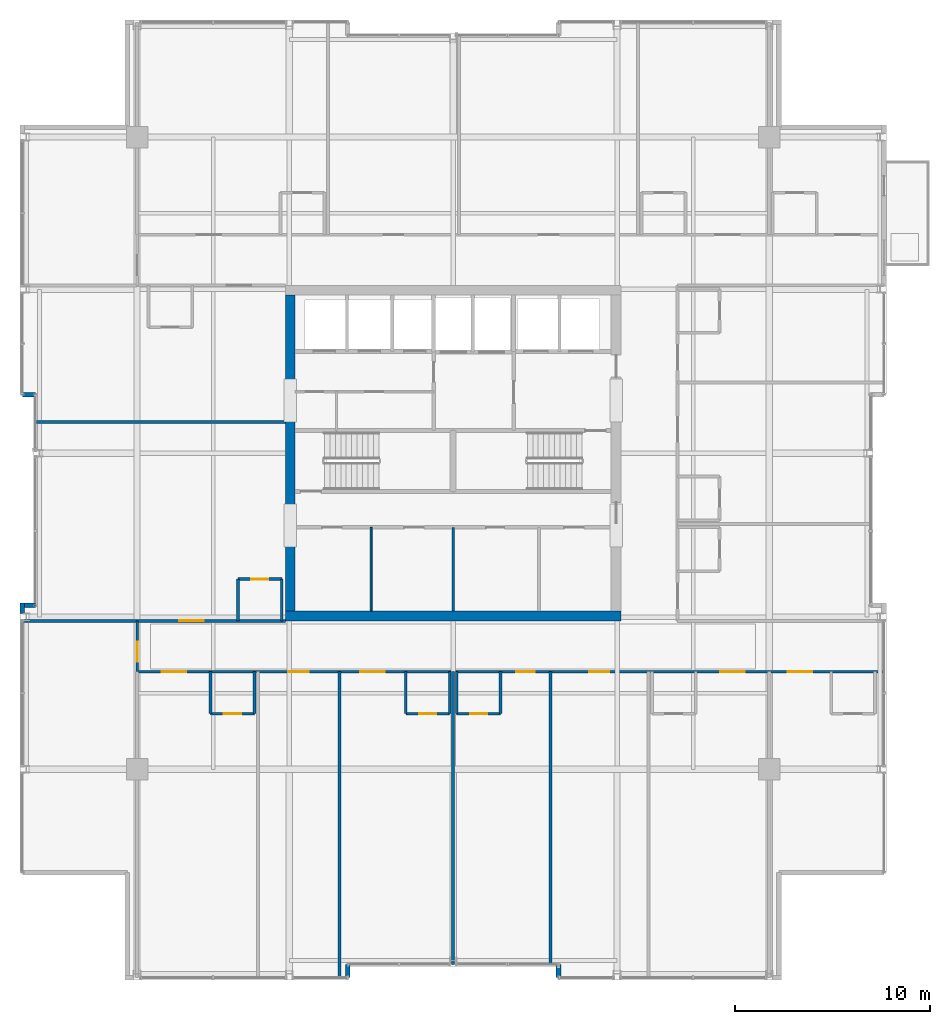
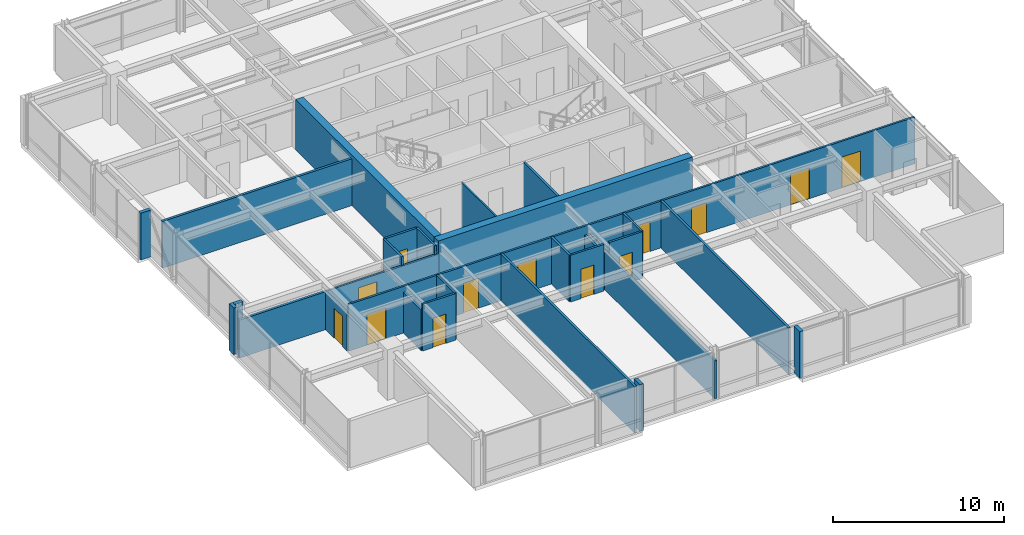
# One storey, part 27 of 33: 29 walls, 13 doors, 13 openings.
"""IFC4 building model written with IfcOpenShell, lengths in metres."""

from ifc_helpers import new_model, si_unit, direction, frame, frame_2d, origin, place, context, subcontext, project, spatial, rectangle, extrude, material, layer, layer_set, type_object, element, fill, save


model = new_model("IFC4")

# Units and contexts
model_context = context("Model", 3, precision=1e-05, world=origin(), true_north=direction((0.0, 1.0)))
body_context = subcontext(model_context, "Body", "Model", "MODEL_VIEW")
ifc_project = project(units=[si_unit("LENGTHUNIT", "METRE"), si_unit("AREAUNIT", "SQUARE_METRE"), si_unit("VOLUMEUNIT", "CUBIC_METRE"), si_unit("PLANEANGLEUNIT", "RADIAN"), si_unit("MASSUNIT", "GRAM", prefix="KILO")], contexts=[model_context])

# Site, building, storey
site_placement = place(None, origin())
site = spatial("IfcSite", under=ifc_project, at=site_placement, CompositionType="ELEMENT")
building_placement = place(site_placement, origin())
building = spatial("IfcBuilding", under=site, at=building_placement, Name="Drelvath Grand Hotel", CompositionType="ELEMENT")
storey_placement = place(building_placement, frame((0.0, 0.0, 248.300048828125)))
storey = spatial("IfcBuildingStorey", under=building, at=storey_placement, Name="L65", CompositionType="ELEMENT", Elevation=248.300048828125)

# Wall
ifc_material_1 = material(Name="Gypsum Partition Board")
ifc_layer_1 = layer(ifc_material_1, 0.10009765625)
ifc_layer_set_1 = layer_set([ifc_layer_1], Name="Gypsum Partition Board")
wall_type_1 = type_object("IfcWallType", Name="Core Closet Partition 100", PredefinedType="PARTITIONING", material=ifc_layer_set_1)
wall_1_placement = place(storey_placement, frame((-4.199951171875, 18.89990234375, 0.0), z_axis=(0.0, 0.0, 1.0), x_axis=(0.0, 1.0, 0.0)))
element("IfcWall", 1, at=wall_1_placement, inside=storey, type_object=wall_type_1, Name="L65 Upper Core Split 2A", PredefinedType="PARTITIONING", context=body_context, shape_type="SweptSolid", body=[
    extrude(rectangle(XDim=4.300048828125, YDim=0.10009765625, at=frame_2d((2.14990234375, 0.0))), origin(), (0.0, 0.0, 1.0), 3.33984375),
])

# Wall, openings, doors
ifc_material_2 = material(Name="Gypsum Fireboard Partition")
ifc_layer_2 = layer(ifc_material_2, 0.135009765625)
ifc_layer_set_2 = layer_set([ifc_layer_2], Name="Gypsum Fireboard Partition")
wall_type_2 = type_object("IfcWallType", Name="Corridor Fire Barrier Wall 135", PredefinedType="PARTITIONING", material=ifc_layer_set_2)
wall_2_placement = place(storey_placement, frame((-16.199951171875, 15.800048828125, 0.0), z_axis=(0.0, 0.0, 1.0), x_axis=(1.0, 0.0, 0.0)))
wall_2 = element("IfcWall", 2, at=wall_2_placement, inside=storey, type_object=wall_type_2, Name="L65 South Cross-Gallery Wall", PredefinedType="PARTITIONING", context=body_context, shape_type="SweptSolid", body=[
    extrude(rectangle(XDim=38.280029296875, YDim=0.135009765625, at=frame_2d((19.14013671875, 0.0))), origin(), (0.0, 0.0, 1.0), 3.33984375),
])
opening_1_placement = place(wall_2_placement, frame((33.35498046875, 0.0, 0.0)))
opening_1 = element("IfcOpeningElement", 3, at=opening_1_placement, cuts=wall_2, Name="Opening D-T4G5-023", PredefinedType="OPENING", context=body_context, shape_type="SweptSolid", body=[
    extrude(rectangle(XDim=1.260009765625, YDim=2.199951171875, at=frame_2d((0.6298828125, 1.10009765625))), frame((0.0, 0.077392578125, 0.0), z_axis=(0.0, -1.0, 0.0), x_axis=(1.0, 0.0, 0.0)), (0.0, 0.0, 1.0), 0.155029296875),
])
opening_2_placement = place(wall_2_placement, frame((1.252197265625, 0.0, 0.0)))
opening_2 = element("IfcOpeningElement", 4, at=opening_2_placement, cuts=wall_2, Name="Opening D-T4G5-027", PredefinedType="OPENING", context=body_context, shape_type="SweptSolid", body=[
    extrude(rectangle(XDim=1.260009765625, YDim=2.199951171875, at=frame_2d((0.6298828125, 1.10009765625))), frame((0.0, 0.077392578125, 0.0), z_axis=(0.0, -1.0, 0.0), x_axis=(1.0, 0.0, 0.0)), (0.0, 0.0, 1.0), 0.155029296875),
])
opening_3_placement = place(wall_2_placement, frame((7.777099609375, 0.0, 0.0)))
opening_3 = element("IfcOpeningElement", 5, at=opening_3_placement, cuts=wall_2, Name="Opening D-T4G5-028", PredefinedType="OPENING", context=body_context, shape_type="SweptSolid", body=[
    extrude(rectangle(XDim=1.02001953125, YDim=2.14990234375, at=frame_2d((0.510009765625, 1.074951171875))), frame((0.0, 0.077392578125, 0.0), z_axis=(0.0, -1.0, 0.0), x_axis=(1.0, 0.0, 0.0)), (0.0, 0.0, 1.0), 0.155029296875),
])
opening_4_placement = place(wall_2_placement, frame((11.445068359375, 0.0, 0.0)))
opening_4 = element("IfcOpeningElement", 6, at=opening_4_placement, cuts=wall_2, Name="Opening D-T4G5-030", PredefinedType="OPENING", context=body_context, shape_type="SweptSolid", body=[
    extrude(rectangle(XDim=1.260009765625, YDim=2.199951171875, at=frame_2d((0.6298828125, 1.10009765625))), frame((0.0, 0.077392578125, 0.0), z_axis=(0.0, -1.0, 0.0), x_axis=(1.0, 0.0, 0.0)), (0.0, 0.0, 1.0), 0.155029296875),
])
opening_5_placement = place(wall_2_placement, frame((19.425048828125, 0.0, 0.0)))
opening_5 = element("IfcOpeningElement", 7, at=opening_5_placement, cuts=wall_2, Name="Opening D-T4G5-032", PredefinedType="OPENING", context=body_context, shape_type="SweptSolid", body=[
    extrude(rectangle(XDim=0.9599609375, YDim=2.14990234375, at=frame_2d((0.47998046875, 1.074951171875))), frame((0.0, 0.077392578125, 0.0), z_axis=(0.0, -1.0, 0.0), x_axis=(1.0, 0.0, 0.0)), (0.0, 0.0, 1.0), 0.155029296875),
])
opening_6_placement = place(wall_2_placement, frame((23.18310546875, 0.0, 0.0)))
opening_6 = element("IfcOpeningElement", 8, at=opening_6_placement, cuts=wall_2, Name="Opening D-T4G5-033", PredefinedType="OPENING", context=body_context, shape_type="SweptSolid", body=[
    extrude(rectangle(XDim=1.02001953125, YDim=2.14990234375, at=frame_2d((0.510009765625, 1.074951171875))), frame((0.0, 0.077392578125, 0.0), z_axis=(0.0, -1.0, 0.0), x_axis=(1.0, 0.0, 0.0)), (0.0, 0.0, 1.0), 0.155029296875),
])
opening_7_placement = place(wall_2_placement, frame((29.887939453125, 0.0, 0.0)))
opening_7 = element("IfcOpeningElement", 9, at=opening_7_placement, cuts=wall_2, Name="Opening D-T4G5-035", PredefinedType="OPENING", context=body_context, shape_type="SweptSolid", body=[
    extrude(rectangle(XDim=1.260009765625, YDim=2.199951171875, at=frame_2d((0.6298828125, 1.10009765625))), frame((0.0, 0.077392578125, 0.0), z_axis=(0.0, -1.0, 0.0), x_axis=(1.0, 0.0, 0.0)), (0.0, 0.0, 1.0), 0.155029296875),
])
ifc_material_3 = material(Name="Hardwood Walnut Timber", Category="wood")
door_type_1 = type_object("IfcDoorType", Name="Amenity Meeting Fire Door 1020x2150", OperationType="NOTDEFINED", PredefinedType="DOOR", material=ifc_material_3)
door_1_placement = place(opening_3_placement, origin())
door_1 = element("IfcDoor", 10, at=door_1_placement, inside=storey, type_object=door_type_1, Name="L65 Ambassador Club Lounge Entry Door", OperationType="SINGLE_SWING_LEFT", OverallHeight=2.14990234375, OverallWidth=1.02001953125, PredefinedType="DOOR", context=body_context, shape_type="SweptSolid", body=[
    extrude(rectangle(XDim=1.02001953125, YDim=2.14990234375, at=frame_2d((0.510009765625, 1.074951171875))), frame((0.0, 0.02490234375, 0.0), z_axis=(0.0, -1.0, 0.0), x_axis=(1.0, 0.0, 0.0)), (0.0, 0.0, 1.0), 0.050048828125),
])
fill(opening_3, door_1)
door_2_placement = place(opening_6_placement, origin())
door_2 = element("IfcDoor", 11, at=door_2_placement, inside=storey, type_object=door_type_1, Name="L65 Private Security Office Entry Door", OperationType="SINGLE_SWING_RIGHT", OverallHeight=2.14990234375, OverallWidth=1.02001953125, PredefinedType="DOOR", context=body_context, shape_type="SweptSolid", body=[
    extrude(rectangle(XDim=1.02001953125, YDim=2.14990234375, at=frame_2d((0.510009765625, 1.074951171875))), frame((0.0, 0.02490234375, 0.0), z_axis=(0.0, -1.0, 0.0), x_axis=(1.0, 0.0, 0.0)), (0.0, 0.0, 1.0), 0.050048828125),
])
fill(opening_6, door_2)
door_type_2 = type_object("IfcDoorType", Name="Guestroom Entrance Fire Door 960x2150", OperationType="NOTDEFINED", PredefinedType="DOOR", material=ifc_material_3)
door_3_placement = place(opening_5_placement, origin())
door_3 = element("IfcDoor", 12, at=door_3_placement, inside=storey, type_object=door_type_2, Name="L65 Deluxe Guest Room Entry Door", OperationType="SINGLE_SWING_LEFT", OverallHeight=2.14990234375, OverallWidth=0.9599609375, PredefinedType="DOOR", context=body_context, shape_type="SweptSolid", body=[
    extrude(rectangle(XDim=0.9599609375, YDim=2.14990234375, at=frame_2d((0.47998046875, 1.074951171875))), frame((0.0, 0.02490234375, 0.0), z_axis=(0.0, -1.0, 0.0), x_axis=(1.0, 0.0, 0.0)), (0.0, 0.0, 1.0), 0.050048828125),
])
fill(opening_5, door_3)
door_type_3 = type_object("IfcDoorType", Name="Suite Entrance Fire Door 1260x2200", OperationType="NOTDEFINED", PredefinedType="DOOR", material=ifc_material_3)
door_4_placement = place(opening_1_placement, origin())
door_4 = element("IfcDoor", 13, at=door_4_placement, inside=storey, type_object=door_type_3, Name="L65 Diplomatic Suite Entry Door", OperationType="SINGLE_SWING_RIGHT", OverallHeight=2.199951171875, OverallWidth=1.260009765625, PredefinedType="DOOR", context=body_context, shape_type="SweptSolid", body=[
    extrude(rectangle(XDim=1.260009765625, YDim=2.199951171875, at=frame_2d((0.6298828125, 1.10009765625))), frame((0.0, 0.02490234375, 0.0), z_axis=(0.0, -1.0, 0.0), x_axis=(1.0, 0.0, 0.0)), (0.0, 0.0, 1.0), 0.050048828125),
])
fill(opening_1, door_4)
door_5_placement = place(opening_2_placement, origin())
door_5 = element("IfcDoor", 14, at=door_5_placement, inside=storey, type_object=door_type_3, Name="L65 Diplomatic Suite Entry Door", OperationType="SINGLE_SWING_RIGHT", OverallHeight=2.199951171875, OverallWidth=1.260009765625, PredefinedType="DOOR", context=body_context, shape_type="SweptSolid", body=[
    extrude(rectangle(XDim=1.260009765625, YDim=2.199951171875, at=frame_2d((0.6298828125, 1.10009765625))), frame((0.0, 0.02490234375, 0.0), z_axis=(0.0, -1.0, 0.0), x_axis=(1.0, 0.0, 0.0)), (0.0, 0.0, 1.0), 0.050048828125),
])
fill(opening_2, door_5)
door_6_placement = place(opening_4_placement, origin())
door_6 = element("IfcDoor", 15, at=door_6_placement, inside=storey, type_object=door_type_3, Name="L65 Diplomatic Suite Entry Door", OperationType="SINGLE_SWING_LEFT", OverallHeight=2.199951171875, OverallWidth=1.260009765625, PredefinedType="DOOR", context=body_context, shape_type="SweptSolid", body=[
    extrude(rectangle(XDim=1.260009765625, YDim=2.199951171875, at=frame_2d((0.6298828125, 1.10009765625))), frame((0.0, 0.02490234375, 0.0), z_axis=(0.0, -1.0, 0.0), x_axis=(1.0, 0.0, 0.0)), (0.0, 0.0, 1.0), 0.050048828125),
])
fill(opening_4, door_6)
door_7_placement = place(opening_7_placement, origin())
door_7 = element("IfcDoor", 16, at=door_7_placement, inside=storey, type_object=door_type_3, Name="L65 Diplomatic Suite Entry Door", OperationType="SINGLE_SWING_RIGHT", OverallHeight=2.199951171875, OverallWidth=1.260009765625, PredefinedType="DOOR", context=body_context, shape_type="SweptSolid", body=[
    extrude(rectangle(XDim=1.260009765625, YDim=2.199951171875, at=frame_2d((0.6298828125, 1.10009765625))), frame((0.0, 0.02490234375, 0.0), z_axis=(0.0, -1.0, 0.0), x_axis=(1.0, 0.0, 0.0)), (0.0, 0.0, 1.0), 0.050048828125),
])
fill(opening_7, door_7)

# Wall, opening, door
wall_3_placement = place(storey_placement, frame((-16.199951171875, 18.39990234375, 0.0), z_axis=(0.0, 0.0, 1.0), x_axis=(1.0, 0.0, 0.0)))
wall_3 = element("IfcWall", 17, at=wall_3_placement, inside=storey, type_object=wall_type_2, Name="L65 South Gallery Inner West Wall", PredefinedType="PARTITIONING", context=body_context, shape_type="SweptSolid", body=[
    extrude(rectangle(XDim=7.599853515625, YDim=0.135009765625, at=frame_2d((3.7998046875, 0.0))), origin(), (0.0, 0.0, 1.0), 2.71728515625),
])
opening_8_placement = place(wall_3_placement, frame((2.155029296875, 0.0, 0.0)))
opening_8 = element("IfcOpeningElement", 18, at=opening_8_placement, cuts=wall_3, Name="Opening D-T4G5-049", PredefinedType="OPENING", context=body_context, shape_type="SweptSolid", body=[
    extrude(rectangle(XDim=1.260009765625, YDim=2.199951171875, at=frame_2d((0.6298828125, 1.10009765625))), frame((0.0, 0.077392578125, 0.0), z_axis=(0.0, -1.0, 0.0), x_axis=(1.0, 0.0, 0.0)), (0.0, 0.0, 1.0), 0.155029296875),
])
door_8_placement = place(opening_8_placement, origin())
door_8 = element("IfcDoor", 19, at=door_8_placement, inside=storey, type_object=door_type_3, Name="L65 Diplomatic Suite Entry Door", OperationType="SINGLE_SWING_RIGHT", OverallHeight=2.199951171875, OverallWidth=1.260009765625, PredefinedType="DOOR", context=body_context, shape_type="SweptSolid", body=[
    extrude(rectangle(XDim=1.260009765625, YDim=2.199951171875, at=frame_2d((0.6298828125, 1.10009765625))), frame((0.0, 0.02490234375, 0.0), z_axis=(0.0, -1.0, 0.0), x_axis=(1.0, 0.0, 0.0)), (0.0, 0.0, 1.0), 0.050048828125),
])
fill(opening_8, door_8)

wall_4_placement = place(storey_placement, frame((-16.199951171875, 15.800048828125, 0.0), z_axis=(0.0, 0.0, 1.0), x_axis=(0.0, 1.0, 0.0)))
wall_4 = element("IfcWall", 20, at=wall_4_placement, inside=storey, type_object=wall_type_2, Name="L65 South Gallery West End", PredefinedType="PARTITIONING", context=body_context, shape_type="SweptSolid", body=[
    extrude(rectangle(XDim=2.599853515625, YDim=0.135009765625, at=frame_2d((1.2998046875, 0.0))), origin(), (0.0, 0.0, 1.0), 2.7138671875),
])
opening_9_placement = place(wall_4_placement, frame((0.52001953125, 0.0, 0.0)))
opening_9 = element("IfcOpeningElement", 21, at=opening_9_placement, cuts=wall_4, Name="Opening D-T4G5-020", PredefinedType="OPENING", context=body_context, shape_type="SweptSolid", body=[
    extrude(rectangle(XDim=1.02001953125, YDim=2.14990234375, at=frame_2d((0.510009765625, 1.074951171875))), frame((0.0, 0.077392578125, 0.0), z_axis=(0.0, -1.0, 0.0), x_axis=(1.0, 0.0, 0.0)), (0.0, 0.0, 1.0), 0.155029296875),
])
door_9_placement = place(opening_9_placement, origin())
door_9 = element("IfcDoor", 22, at=door_9_placement, inside=storey, type_object=door_type_1, Name="L65 Corner Panorama Lounge Door", OperationType="SINGLE_SWING_LEFT", OverallHeight=2.14990234375, OverallWidth=1.02001953125, PredefinedType="DOOR", context=body_context, shape_type="SweptSolid", body=[
    extrude(rectangle(XDim=1.02001953125, YDim=2.14990234375, at=frame_2d((0.510009765625, 1.074951171875))), frame((0.0, 0.02490234375, 0.0), z_axis=(0.0, -1.0, 0.0), x_axis=(1.0, 0.0, 0.0)), (0.0, 0.0, 1.0), 0.050048828125),
])
fill(opening_9, door_9)

# Walls
ifc_material_4 = material(Name="Moisture-Resistant Gypsum Board")
ifc_layer_3 = layer(ifc_material_4, 0.139892578125)
ifc_layer_set_3 = layer_set([ifc_layer_3], Name="Moisture-Resistant Gypsum Board")
wall_type_3 = type_object("IfcWallType", Name="En-Suite Plumbing Wall 140", PredefinedType="PLUMBINGWALL", material=ifc_layer_set_3)
wall_5_placement = place(storey_placement, frame((0.0, 18.89990234375, 0.0), z_axis=(0.0, 0.0, 1.0), x_axis=(0.0, 1.0, 0.0)))
element("IfcWall", 23, at=wall_5_placement, inside=storey, type_object=wall_type_3, Name="L65 Upper Core Split 2B", PredefinedType="PLUMBINGWALL", context=body_context, shape_type="SweptSolid", body=[
    extrude(rectangle(XDim=4.300048828125, YDim=0.139892578125, at=frame_2d((2.14990234375, 0.0))), origin(), (0.0, 0.0, 1.0), 3.33984375),
])
wall_6_placement = place(storey_placement, frame((-12.435791015625, 15.800048828125, 0.0), z_axis=(0.0, 0.0, 1.0), x_axis=(0.0, -1.0, 0.0)))
element("IfcWall", 24, at=wall_6_placement, inside=storey, type_object=wall_type_3, Name="L65 En-Suite Left Wall", PredefinedType="PLUMBINGWALL", context=body_context, shape_type="SweptSolid", body=[
    extrude(rectangle(XDim=2.150146484375, YDim=0.139892578125, at=frame_2d((1.0751953125, 0.0))), origin(), (0.0, 0.0, 1.0), 2.918212890625),
])
wall_7_placement = place(storey_placement, frame((-10.185791015625, 15.800048828125, 0.0), z_axis=(0.0, 0.0, 1.0), x_axis=(0.0, -1.0, 0.0)))
element("IfcWall", 25, at=wall_7_placement, inside=storey, type_object=wall_type_3, Name="L65 En-Suite Right Wall", PredefinedType="PLUMBINGWALL", context=body_context, shape_type="SweptSolid", body=[
    extrude(rectangle(XDim=2.150146484375, YDim=0.139892578125, at=frame_2d((1.0751953125, 0.0))), origin(), (0.0, 0.0, 1.0), 3.33984375),
])

# Wall, opening, door
wall_8_placement = place(storey_placement, frame((-12.435791015625, 13.64990234375, 0.0), z_axis=(0.0, 0.0, 1.0), x_axis=(1.0, 0.0, 0.0)))
wall_8 = element("IfcWall", 26, at=wall_8_placement, inside=storey, type_object=wall_type_3, Name="L65 En-Suite Front Wall", PredefinedType="PLUMBINGWALL", context=body_context, shape_type="SweptSolid", body=[
    extrude(rectangle(XDim=2.25, YDim=0.139892578125, at=frame_2d((1.125, 0.0))), origin(), (0.0, 0.0, 1.0), 3.33984375),
])
opening_10_placement = place(wall_8_placement, frame((0.68505859375, 0.0, 0.0)))
opening_10 = element("IfcOpeningElement", 27, at=opening_10_placement, cuts=wall_8, Name="Opening D-T4G5-026", PredefinedType="OPENING", context=body_context, shape_type="SweptSolid", body=[
    extrude(rectangle(XDim=0.8798828125, YDim=2.10009765625, at=frame_2d((0.43994140625, 1.050048828125))), frame((0.0, 0.079833984375, 0.0), z_axis=(0.0, -1.0, 0.0), x_axis=(1.0, 0.0, 0.0)), (0.0, 0.0, 1.0), 0.159912109375),
])
door_type_4 = type_object("IfcDoorType", Name="En-Suite Bathroom Door 880x2100", OperationType="NOTDEFINED", PredefinedType="DOOR", material=ifc_material_3)
door_10_placement = place(opening_10_placement, origin())
door_10 = element("IfcDoor", 28, at=door_10_placement, inside=storey, type_object=door_type_4, Name="L65 En-Suite Bathroom Door", OperationType="SINGLE_SWING_LEFT", OverallHeight=2.10009765625, OverallWidth=0.8798828125, PredefinedType="DOOR", context=body_context, shape_type="SweptSolid", body=[
    extrude(rectangle(XDim=0.8798828125, YDim=2.10009765625, at=frame_2d((0.43994140625, 1.050048828125))), frame((0.0, 0.02490234375, 0.0), z_axis=(0.0, -1.0, 0.0), x_axis=(1.0, 0.0, 0.0)), (0.0, 0.0, 1.0), 0.050048828125),
])
fill(opening_10, door_10)

# Walls
wall_9_placement = place(storey_placement, frame((-2.429931640625, 15.800048828125, 0.0), z_axis=(0.0, 0.0, 1.0), x_axis=(0.0, -1.0, 0.0)))
element("IfcWall", 29, at=wall_9_placement, inside=storey, type_object=wall_type_3, Name="L65 En-Suite Left Wall", PredefinedType="PLUMBINGWALL", context=body_context, shape_type="SweptSolid", body=[
    extrude(rectangle(XDim=2.150146484375, YDim=0.139892578125, at=frame_2d((1.0751953125, 0.0))), origin(), (0.0, 0.0, 1.0), 3.33984375),
])
wall_10_placement = place(storey_placement, frame((-0.179931640625, 15.800048828125, 0.0), z_axis=(0.0, 0.0, 1.0), x_axis=(0.0, -1.0, 0.0)))
element("IfcWall", 30, at=wall_10_placement, inside=storey, type_object=wall_type_3, Name="L65 En-Suite Right Wall", PredefinedType="PLUMBINGWALL", context=body_context, shape_type="SweptSolid", body=[
    extrude(rectangle(XDim=2.150146484375, YDim=0.139892578125, at=frame_2d((1.0751953125, 0.0))), origin(), (0.0, 0.0, 1.0), 2.71728515625),
])

# Wall, opening, door
wall_11_placement = place(storey_placement, frame((-2.429931640625, 13.64990234375, 0.0), z_axis=(0.0, 0.0, 1.0), x_axis=(1.0, 0.0, 0.0)))
wall_11 = element("IfcWall", 31, at=wall_11_placement, inside=storey, type_object=wall_type_3, Name="L65 En-Suite Front Wall", PredefinedType="PLUMBINGWALL", context=body_context, shape_type="SweptSolid", body=[
    extrude(rectangle(XDim=2.25, YDim=0.139892578125, at=frame_2d((1.125, 0.0))), origin(), (0.0, 0.0, 1.0), 3.33984375),
])
opening_11_placement = place(wall_11_placement, frame((0.68505859375, 0.0, 0.0)))
opening_11 = element("IfcOpeningElement", 32, at=opening_11_placement, cuts=wall_11, Name="Opening D-T4G5-029", PredefinedType="OPENING", context=body_context, shape_type="SweptSolid", body=[
    extrude(rectangle(XDim=0.8798828125, YDim=2.10009765625, at=frame_2d((0.43994140625, 1.050048828125))), frame((0.0, 0.079833984375, 0.0), z_axis=(0.0, -1.0, 0.0), x_axis=(1.0, 0.0, 0.0)), (0.0, 0.0, 1.0), 0.159912109375),
])
door_11_placement = place(opening_11_placement, origin())
door_11 = element("IfcDoor", 33, at=door_11_placement, inside=storey, type_object=door_type_4, Name="L65 En-Suite Bathroom Door", OperationType="SINGLE_SWING_RIGHT", OverallHeight=2.10009765625, OverallWidth=0.8798828125, PredefinedType="DOOR", context=body_context, shape_type="SweptSolid", body=[
    extrude(rectangle(XDim=0.8798828125, YDim=2.10009765625, at=frame_2d((0.43994140625, 1.050048828125))), frame((0.0, 0.02490234375, 0.0), z_axis=(0.0, -1.0, 0.0), x_axis=(1.0, 0.0, 0.0)), (0.0, 0.0, 1.0), 0.050048828125),
])
fill(opening_11, door_11)

# Walls
wall_12_placement = place(storey_placement, frame((0.179931640625, 15.800048828125, 0.0), z_axis=(0.0, 0.0, 1.0), x_axis=(0.0, -1.0, 0.0)))
element("IfcWall", 34, at=wall_12_placement, inside=storey, type_object=wall_type_3, Name="L65 En-Suite Left Wall", PredefinedType="PLUMBINGWALL", context=body_context, shape_type="SweptSolid", body=[
    extrude(rectangle(XDim=2.150146484375, YDim=0.139892578125, at=frame_2d((1.0751953125, 0.0))), origin(), (0.0, 0.0, 1.0), 2.71728515625),
])
wall_13_placement = place(storey_placement, frame((2.429931640625, 15.800048828125, 0.0), z_axis=(0.0, 0.0, 1.0), x_axis=(0.0, -1.0, 0.0)))
element("IfcWall", 35, at=wall_13_placement, inside=storey, type_object=wall_type_3, Name="L65 En-Suite Right Wall", PredefinedType="PLUMBINGWALL", context=body_context, shape_type="SweptSolid", body=[
    extrude(rectangle(XDim=2.150146484375, YDim=0.139892578125, at=frame_2d((1.0751953125, 0.0))), origin(), (0.0, 0.0, 1.0), 3.33984375),
])

# Wall, opening, door
wall_14_placement = place(storey_placement, frame((0.179931640625, 13.64990234375, 0.0), z_axis=(0.0, 0.0, 1.0), x_axis=(1.0, 0.0, 0.0)))
wall_14 = element("IfcWall", 36, at=wall_14_placement, inside=storey, type_object=wall_type_3, Name="L65 En-Suite Front Wall", PredefinedType="PLUMBINGWALL", context=body_context, shape_type="SweptSolid", body=[
    extrude(rectangle(XDim=2.25, YDim=0.139892578125, at=frame_2d((1.125, 0.0))), origin(), (0.0, 0.0, 1.0), 3.33984375),
])
opening_12_placement = place(wall_14_placement, frame((0.68505859375, 0.0, 0.0)))
opening_12 = element("IfcOpeningElement", 37, at=opening_12_placement, cuts=wall_14, Name="Opening D-T4G5-031", PredefinedType="OPENING", context=body_context, shape_type="SweptSolid", body=[
    extrude(rectangle(XDim=0.8798828125, YDim=2.10009765625, at=frame_2d((0.43994140625, 1.050048828125))), frame((0.0, 0.079833984375, 0.0), z_axis=(0.0, -1.0, 0.0), x_axis=(1.0, 0.0, 0.0)), (0.0, 0.0, 1.0), 0.159912109375),
])
door_12_placement = place(opening_12_placement, origin())
door_12 = element("IfcDoor", 38, at=door_12_placement, inside=storey, type_object=door_type_4, Name="L65 En-Suite Bathroom Door", OperationType="SINGLE_SWING_RIGHT", OverallHeight=2.10009765625, OverallWidth=0.8798828125, PredefinedType="DOOR", context=body_context, shape_type="SweptSolid", body=[
    extrude(rectangle(XDim=0.8798828125, YDim=2.10009765625, at=frame_2d((0.43994140625, 1.050048828125))), frame((0.0, 0.02490234375, 0.0), z_axis=(0.0, -1.0, 0.0), x_axis=(1.0, 0.0, 0.0)), (0.0, 0.0, 1.0), 0.050048828125),
])
fill(opening_12, door_12)

# Walls
for number, where, z_axis, x_axis, name in (
    (39, (-11.030029296875, 18.39990234375, 0.0), (0.0, 0.0, 1.0), (0.0, 1.0, 0.0), "L65 En-Suite Left Wall"),
    (40, (-8.780029296875, 18.39990234375, 0.0), (0.0, 0.0, 1.0), (0.0, 1.0, 0.0), "L65 En-Suite Right Wall"),
):
    element("IfcWall", number, at=place(storey_placement, frame(where, z_axis=z_axis, x_axis=x_axis)), inside=storey, type_object=wall_type_3, Name=name, PredefinedType="PLUMBINGWALL", context=body_context, shape_type="SweptSolid", body=[
        extrude(rectangle(XDim=2.150146484375, YDim=0.139892578125, at=frame_2d((1.0751953125, 0.0))), origin(), (0.0, 0.0, 1.0), 3.33984375),
    ])

# Wall, opening, door
wall_15_placement = place(storey_placement, frame((-11.030029296875, 20.550048828125, 0.0), z_axis=(0.0, 0.0, 1.0), x_axis=(1.0, 0.0, 0.0)))
wall_15 = element("IfcWall", 41, at=wall_15_placement, inside=storey, type_object=wall_type_3, Name="L65 En-Suite Front Wall", PredefinedType="PLUMBINGWALL", context=body_context, shape_type="SweptSolid", body=[
    extrude(rectangle(XDim=2.25, YDim=0.139892578125, at=frame_2d((1.125, 0.0))), origin(), (0.0, 0.0, 1.0), 3.33984375),
])
opening_13_placement = place(wall_15_placement, frame((0.68505859375, 0.0, 0.0)))
opening_13 = element("IfcOpeningElement", 42, at=opening_13_placement, cuts=wall_15, Name="Opening D-T4G5-048", PredefinedType="OPENING", context=body_context, shape_type="SweptSolid", body=[
    extrude(rectangle(XDim=0.8798828125, YDim=2.10009765625, at=frame_2d((0.43994140625, 1.050048828125))), frame((0.0, 0.079833984375, 0.0), z_axis=(0.0, -1.0, 0.0), x_axis=(1.0, 0.0, 0.0)), (0.0, 0.0, 1.0), 0.159912109375),
])
door_13_placement = place(opening_13_placement, origin())
door_13 = element("IfcDoor", 43, at=door_13_placement, inside=storey, type_object=door_type_4, Name="L65 En-Suite Bathroom Door", OperationType="SINGLE_SWING_LEFT", OverallHeight=2.10009765625, OverallWidth=0.8798828125, PredefinedType="DOOR", context=body_context, shape_type="SweptSolid", body=[
    extrude(rectangle(XDim=0.8798828125, YDim=2.10009765625, at=frame_2d((0.43994140625, 1.050048828125))), frame((0.0, 0.02490234375, 0.0), z_axis=(0.0, -1.0, 0.0), x_axis=(1.0, 0.0, 0.0)), (0.0, 0.0, 1.0), 0.050048828125),
])
fill(opening_13, door_13)

# Walls
ifc_material_5 = material(Name="Gypsum Acoustic Partition")
ifc_layer_4 = layer(ifc_material_5, 0.14990234375)
ifc_layer_set_4 = layer_set([ifc_layer_4], Name="Gypsum Acoustic Partition")
wall_type_4 = type_object("IfcWallType", Name="Guestroom Demising Wall 150", PredefinedType="PARTITIONING", material=ifc_layer_set_4)
wall_16_placement = place(storey_placement, frame((-5.820068359375, 0.1201171875, 0.0), z_axis=(0.0, 0.0, 1.0), x_axis=(0.0, 1.0, 0.0)))
element("IfcWall", 44, at=wall_16_placement, inside=storey, type_object=wall_type_4, Name="L65 South Demising 2", PredefinedType="PARTITIONING", context=body_context, shape_type="SweptSolid", body=[
    extrude(rectangle(XDim=15.679931640625, YDim=0.14990234375, at=frame_2d((7.83984375, 0.0))), origin(), (0.0, 0.0, 1.0), 3.33984375),
])
wall_17_placement = place(storey_placement, frame((0.0, 0.800048828125, 0.0), z_axis=(0.0, 0.0, 1.0), x_axis=(0.0, 1.0, 0.0)))
element("IfcWall", 45, at=wall_17_placement, inside=storey, type_object=wall_type_4, Name="L65 South Demising 3", PredefinedType="PARTITIONING", context=body_context, shape_type="SweptSolid", body=[
    extrude(rectangle(XDim=15.0, YDim=0.14990234375, at=frame_2d((7.5, 0.0))), origin(), (0.0, 0.0, 1.0), 2.7138671875),
])
wall_18_placement = place(storey_placement, frame((4.97998046875, 0.800048828125, 0.0), z_axis=(0.0, 0.0, 1.0), x_axis=(0.0, 1.0, 0.0)))
element("IfcWall", 46, at=wall_18_placement, inside=storey, type_object=wall_type_4, Name="L65 South Demising 4", PredefinedType="PARTITIONING", context=body_context, shape_type="SweptSolid", body=[
    extrude(rectangle(XDim=15.0, YDim=0.14990234375, at=frame_2d((7.5, 0.0))), origin(), (0.0, 0.0, 1.0), 3.33984375),
])
ifc_layer_5 = layer(ifc_material_5, 0.1650390625)
ifc_layer_set_5 = layer_set([ifc_layer_5], Name="Gypsum Acoustic Partition")
wall_type_5 = type_object("IfcWallType", Name="Suite Demising Wall 165", PredefinedType="PARTITIONING", material=ifc_layer_set_5)
wall_19_placement = place(storey_placement, frame((-22.080078125, 18.39990234375, 0.0), z_axis=(0.0, 0.0, 1.0), x_axis=(1.0, 0.0, 0.0)))
element("IfcWall", 47, at=wall_19_placement, inside=storey, type_object=wall_type_5, Name="L65 SW Corner North Wall", PredefinedType="PARTITIONING", context=body_context, shape_type="SweptSolid", body=[
    extrude(rectangle(XDim=5.880126953125, YDim=0.1650390625, at=frame_2d((2.93994140625, 0.0))), origin(), (0.0, 0.0, 1.0), 2.7138671875),
])
wall_20_placement = place(storey_placement, frame((-21.39990234375, 28.60009765625, 0.0), z_axis=(0.0, 0.0, 1.0), x_axis=(1.0, 0.0, 0.0)))
element("IfcWall", 48, at=wall_20_placement, inside=storey, type_object=wall_type_5, Name="L65 West Grand Suite Split Wall", PredefinedType="PARTITIONING", context=body_context, shape_type="SweptSolid", body=[
    extrude(rectangle(XDim=12.7998046875, YDim=0.1650390625, at=frame_2d((6.39990234375, 0.0))), origin(), (0.0, 0.0, 1.0), 3.33984375),
])
ifc_material_6 = material(Name="Pale-Metal Insulated Aluminium Spandrel Assembly", Category="aluminium")
ifc_layer_6 = layer(ifc_material_6, 0.239990234375)
ifc_layer_set_6 = layer_set([ifc_layer_6], Name="Pale-Metal Insulated Aluminium Spandrel Assembly")
wall_type_6 = type_object("IfcWallType", Name="Tower Insulated Metal Spandrel Closure Wall 240", PredefinedType="STANDARD", material=ifc_layer_set_6)
wall_21_placement = place(storey_placement, frame((-22.080078125, 18.7783203125, 0.0), z_axis=(0.0, 0.0, 1.0), x_axis=(0.0, 1.0, 0.0)))
element("IfcWall", 49, at=wall_21_placement, inside=storey, type_object=wall_type_6, Name="L65 Corner Pier Spandrel Wall WS3", PredefinedType="STANDARD", context=body_context, shape_type="SweptSolid", body=[
    extrude(rectangle(XDim=0.541748046875, YDim=0.239990234375, at=frame_2d((0.27099609375, 0.0))), origin(), (0.0, 0.0, 1.0), 3.33984375),
])
wall_22_placement = place(storey_placement, frame((-21.9599609375, 19.199951171875, 0.0), z_axis=(0.0, 0.0, 1.0), x_axis=(1.0, 0.0, 0.0)))
element("IfcWall", 50, at=wall_22_placement, inside=storey, type_object=wall_type_6, Name="L65 Notched Corner Return Spandrel Wall RW1", PredefinedType="STANDARD", context=body_context, shape_type="SweptSolid", body=[
    extrude(rectangle(XDim=0.56005859375, YDim=0.239990234375, at=frame_2d((0.280029296875, 0.0))), origin(), (0.0, 0.0, 1.0), 3.33984375),
])
wall_23_placement = place(storey_placement, frame((-21.39990234375, 30.0, 0.0), z_axis=(0.0, 0.0, 1.0), x_axis=(-1.0, 0.0, 0.0)))
element("IfcWall", 51, at=wall_23_placement, inside=storey, type_object=wall_type_6, Name="L65 Notched Corner Return Spandrel Wall RW2", PredefinedType="STANDARD", context=body_context, shape_type="SweptSolid", body=[
    extrude(rectangle(XDim=0.68017578125, YDim=0.239990234375, at=frame_2d((0.340087890625, 0.0))), origin(), (0.0, 0.0, 1.0), 3.33984375),
])
for number, where, z_axis, x_axis, name in (
    (52, (5.39990234375, 0.1201171875, 0.0), (0.0, 0.0, 1.0), (0.0, 1.0, 0.0), "L65 Notched Corner Return Spandrel Wall RS1"),
    (53, (-5.39990234375, 0.800048828125, 0.0), (0.0, 0.0, 1.0), (0.0, -1.0, 0.0), "L65 Notched Corner Return Spandrel Wall RS2"),
):
    element("IfcWall", number, at=place(storey_placement, frame(where, z_axis=z_axis, x_axis=x_axis)), inside=storey, type_object=wall_type_6, Name=name, PredefinedType="STANDARD", context=body_context, shape_type="SweptSolid", body=[
        extrude(rectangle(XDim=0.679931640625, YDim=0.239990234375, at=frame_2d((0.33984375, 0.0))), origin(), (0.0, 0.0, 1.0), 3.33984375),
    ])
ifc_material_7 = material(Name="Concrete f'c 55 MPa", Category="concrete")
ifc_layer_7 = layer(ifc_material_7, 0.5)
ifc_layer_set_7 = layer_set([ifc_layer_7], Name="Concrete f'c 55 MPa")
wall_type_7 = type_object("IfcWallType", Name="Upper Core RC Shear Wall 500", PredefinedType="SHEAR", material=ifc_layer_set_7)
wall_24_placement = place(storey_placement, frame((8.60009765625, 18.64990234375, 0.0), z_axis=(0.0, 0.0, 1.0), x_axis=(-1.0, 0.0, 0.0)))
element("IfcWall", 54, at=wall_24_placement, inside=storey, type_object=wall_type_7, Name="L65 Central Core Shear Wall S", PredefinedType="SHEAR", context=body_context, shape_type="SweptSolid", body=[
    extrude(rectangle(XDim=17.2001953125, YDim=0.5, at=frame_2d((8.60009765625, 0.0))), origin(), (0.0, 0.0, 1.0), 3.599853515625),
])
wall_25_placement = place(storey_placement, frame((-8.35009765625, 18.89990234375, 0.0), z_axis=(0.0, 0.0, 1.0), x_axis=(0.0, 1.0, 0.0)))
element("IfcWall", 55, at=wall_25_placement, inside=storey, type_object=wall_type_7, Name="L65 Central Core Shear Wall W", PredefinedType="SHEAR", context=body_context, shape_type="SweptSolid", body=[
    extrude(rectangle(XDim=16.2001953125, YDim=0.5, at=frame_2d((8.10009765625, 0.0))), origin(), (0.0, 0.0, 1.0), 3.599853515625),
])

save(model, "model.ifc")
